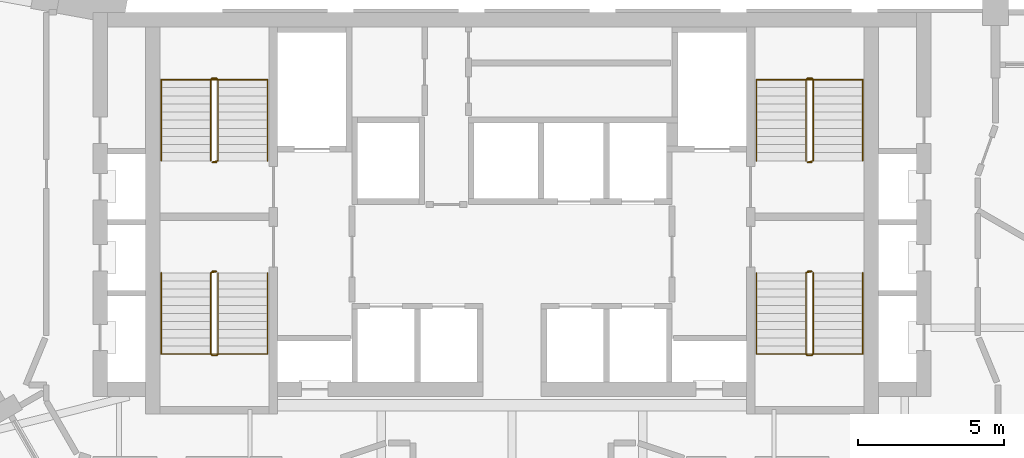
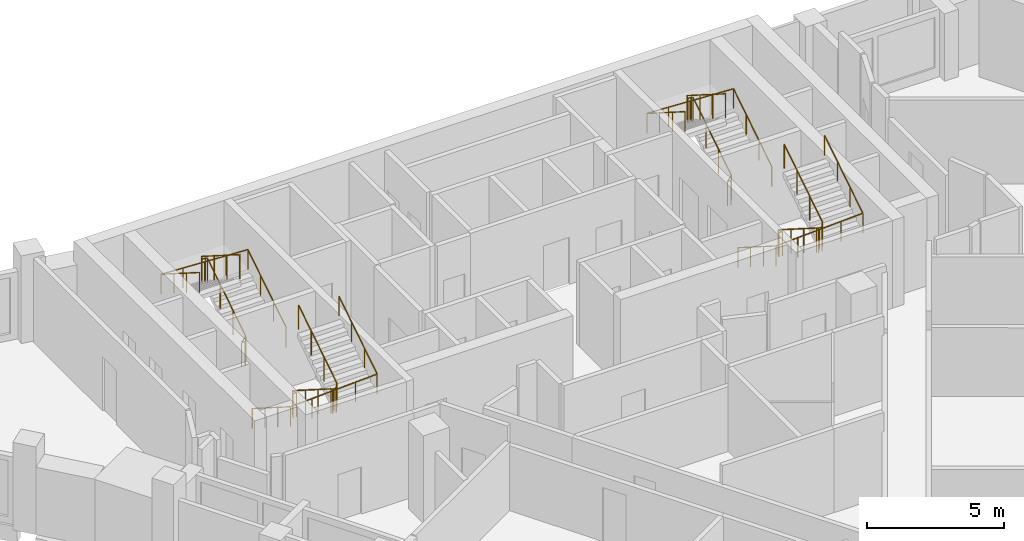
# One storey, part 9 of 9: 8 railings.
"""IFC4 building model written with IfcOpenShell, lengths in metres."""

from ifc_helpers import new_model, si_unit, direction, frame, origin, origin_2d, place, context, subcontext, project, spatial, circle, extrude, material, type_object, element, save


model = new_model("IFC4")

# Units and contexts
model_context = context("Model", 3, precision=1e-05, world=origin(), true_north=direction((0.0, 1.0)))
body_context = subcontext(model_context, "Body", "Model", "MODEL_VIEW")
ifc_project = project(units=[si_unit("LENGTHUNIT", "METRE"), si_unit("AREAUNIT", "SQUARE_METRE"), si_unit("VOLUMEUNIT", "CUBIC_METRE"), si_unit("PLANEANGLEUNIT", "RADIAN"), si_unit("MASSUNIT", "GRAM", prefix="KILO")], contexts=[model_context])

# Site, building, storey
site_placement = place(None, origin())
site = spatial("IfcSite", under=ifc_project, at=site_placement, CompositionType="ELEMENT")
building_placement = place(site_placement, origin())
building = spatial("IfcBuilding", under=site, at=building_placement, Name="Calabash Gate Tower", CompositionType="ELEMENT")
storey_placement = place(building_placement, frame((0.0, 0.0, 212.0)))
storey = spatial("IfcBuildingStorey", under=building, at=storey_placement, Name="L50", CompositionType="ELEMENT", Elevation=212.0)

# Railings
ifc_material_1 = material(Name="Black powder-coated steel balusters", Category="steel")
railing_type_1 = type_object("IfcRailingType", Name="Stair guard RL1100", PredefinedType="GUARDRAIL", material=ifc_material_1)
railing_1_placement = place(storey_placement, frame((-10.14990234375, 13.902587890625, 0.0)))
element("IfcRailing", 1, at=railing_1_placement, inside=storey, type_object=railing_type_1, Name="L50 ST1 stair guard 1", PredefinedType="GUARDRAIL", context=body_context, shape_type="SweptSolid", body=[
    extrude(circle(Radius=0.02392578125, at=origin_2d()), frame((0.0, 0.0, 1.076171875), z_axis=(-1.0, 0.0, 0.0), x_axis=(0.0, -1.0, 0.0)), (0.0, 0.0, 1.0), 0.150146484375),
    extrude(circle(Radius=0.02392578125, at=origin_2d()), frame((-0.150146484375, 0.0, 1.076171875), z_axis=(0.735524641326, 0.184105679453, 0.652003528208), x_axis=(-0.242814311512, 0.970072785993, 0.0)), (0.0, 0.0, 1.0), 0.271728515625),
    extrude(circle(Radius=0.02392578125, at=origin_2d()), frame((0.0498046875, 0.050048828125, 1.25341796875), z_axis=(0.0, 0.844041424197, 0.536277982245), x_axis=(-1.0, 0.0, 0.0)), (0.0, 0.0, 1.0), 3.3056640625),
    extrude(circle(Radius=0.02392578125, at=origin_2d()), frame((0.0498046875, 2.840087890625, 3.02587890625), z_axis=(-0.707106781187, 0.707106781187, 0.0), x_axis=(-0.707106781187, -0.707106781187, 0.0)), (0.0, 0.0, 1.0), 0.0703125),
    extrude(circle(Radius=0.02392578125, at=origin_2d()), frame((0.0, 2.889892578125, 3.02587890625), z_axis=(-1.0, 0.0, 0.0), x_axis=(0.0, -1.0, 0.0)), (0.0, 0.0, 1.0), 0.150146484375),
    extrude(circle(Radius=0.02392578125, at=origin_2d()), frame((-0.150146484375, 2.889892578125, 3.02587890625), z_axis=(-0.262321481514, -0.261041864531, 0.929001929653), x_axis=(0.705375805398, -0.708833529934, 0.0)), (0.0, 0.0, 1.0), 0.190673828125),
    extrude(circle(Radius=0.02392578125, at=origin_2d()), frame((-0.2001953125, 2.840087890625, 3.203125), z_axis=(0.0, -0.844041424197, 0.536277982245), x_axis=(1.0, 0.0, 0.0)), (0.0, 0.0, 1.0), 3.3056640625),
    extrude(circle(Radius=0.02099609375, at=origin_2d()), origin(), (0.0, 0.0, 1.0), 1.052001953125),
    extrude(circle(Radius=0.02099609375, at=origin_2d()), frame((-0.150146484375, 0.0, 0.0)), (0.0, 0.0, 1.0), 1.052001953125),
    extrude(circle(Radius=0.02099609375, at=origin_2d()), frame((0.0498046875, 0.050048828125, 0.17724609375)), (0.0, 0.0, 1.0), 1.052001953125),
    extrude(circle(Radius=0.02099609375, at=origin_2d()), frame((0.0498046875, 0.97998046875, 0.76806640625)), (0.0, 0.0, 1.0), 1.052001953125),
    extrude(circle(Radius=0.02099609375, at=origin_2d()), frame((0.0498046875, 1.91015625, 1.359130859375)), (0.0, 0.0, 1.0), 1.052001953125),
    extrude(circle(Radius=0.02099609375, at=origin_2d()), frame((0.0498046875, 2.840087890625, 1.949951171875)), (0.0, 0.0, 1.0), 1.052001953125),
    extrude(circle(Radius=0.02099609375, at=origin_2d()), frame((0.0, 2.889892578125, 1.949951171875)), (0.0, 0.0, 1.0), 1.052001953125),
    extrude(circle(Radius=0.02099609375, at=origin_2d()), frame((-0.150146484375, 2.889892578125, 1.949951171875)), (0.0, 0.0, 1.0), 1.052001953125),
    extrude(circle(Radius=0.02099609375, at=origin_2d()), frame((-0.2001953125, 2.840087890625, 2.127197265625)), (0.0, 0.0, 1.0), 1.052001953125),
    extrude(circle(Radius=0.02099609375, at=origin_2d()), frame((-0.2001953125, 1.91015625, 2.718017578125)), (0.0, 0.0, 1.0), 1.052001953125),
    extrude(circle(Radius=0.02099609375, at=origin_2d()), frame((-0.2001953125, 0.97998046875, 3.30908203125)), (0.0, 0.0, 1.0), 1.052001953125),
    extrude(circle(Radius=0.02099609375, at=origin_2d()), frame((-0.2001953125, 0.050048828125, 3.89990234375)), (0.0, 0.0, 1.0), 1.052001953125),
])
railing_2_placement = place(storey_placement, frame((-10.300048828125, 10.152587890625, 0.0)))
element("IfcRailing", 2, at=railing_2_placement, inside=storey, type_object=railing_type_1, Name="L50 ST2 stair guard 1", PredefinedType="GUARDRAIL", context=body_context, shape_type="SweptSolid", body=[
    extrude(circle(Radius=0.02392578125, at=origin_2d()), frame((0.0, 0.0, 1.076171875), z_axis=(1.0, 0.0, 0.0), x_axis=(0.0, 1.0, 0.0)), (0.0, 0.0, 1.0), 0.150146484375),
    extrude(circle(Radius=0.02392578125, at=origin_2d()), frame((0.150146484375, 0.0, 1.076171875), z_axis=(-0.735936453418, -0.183984113355, 0.651573006319), x_axis=(0.242535625036, -0.970142500145, 0.0)), (0.0, 0.0, 1.0), 0.27197265625),
    extrude(circle(Radius=0.02392578125, at=origin_2d()), frame((-0.050048828125, -0.050048828125, 1.25341796875), z_axis=(0.0, -0.844041424197, 0.536277982245), x_axis=(1.0, 0.0, 0.0)), (0.0, 0.0, 1.0), 3.3056640625),
    extrude(circle(Radius=0.02392578125, at=origin_2d()), frame((-0.050048828125, -2.840087890625, 3.02587890625), z_axis=(0.708833529934, -0.705375805398, 0.0), x_axis=(0.705375805398, 0.708833529934, 0.0)), (0.0, 0.0, 1.0), 0.070556640625),
    extrude(circle(Radius=0.02392578125, at=origin_2d()), frame((0.0, -2.889892578125, 3.02587890625), z_axis=(1.0, 0.0, 0.0), x_axis=(0.0, 1.0, 0.0)), (0.0, 0.0, 1.0), 0.150146484375),
    extrude(circle(Radius=0.02392578125, at=origin_2d()), frame((0.150146484375, -2.889892578125, 3.02587890625), z_axis=(0.261129318932, 0.261129318932, 0.929313164433), x_axis=(-0.707106781187, 0.707106781187, 0.0)), (0.0, 0.0, 1.0), 0.190673828125),
    extrude(circle(Radius=0.02392578125, at=origin_2d()), frame((0.199951171875, -2.840087890625, 3.203125), z_axis=(0.0, 0.844041424197, 0.536277982245), x_axis=(-1.0, 0.0, 0.0)), (0.0, 0.0, 1.0), 3.3056640625),
    extrude(circle(Radius=0.02099609375, at=origin_2d()), origin(), (0.0, 0.0, 1.0), 1.052001953125),
    extrude(circle(Radius=0.02099609375, at=origin_2d()), frame((0.150146484375, 0.0, 0.0)), (0.0, 0.0, 1.0), 1.052001953125),
    extrude(circle(Radius=0.02099609375, at=origin_2d()), frame((-0.050048828125, -0.050048828125, 0.17724609375)), (0.0, 0.0, 1.0), 1.052001953125),
    extrude(circle(Radius=0.02099609375, at=origin_2d()), frame((-0.050048828125, -0.97998046875, 0.76806640625)), (0.0, 0.0, 1.0), 1.052001953125),
    extrude(circle(Radius=0.02099609375, at=origin_2d()), frame((-0.050048828125, -1.91015625, 1.359130859375)), (0.0, 0.0, 1.0), 1.052001953125),
    extrude(circle(Radius=0.02099609375, at=origin_2d()), frame((-0.050048828125, -2.840087890625, 1.949951171875)), (0.0, 0.0, 1.0), 1.052001953125),
    extrude(circle(Radius=0.02099609375, at=origin_2d()), frame((0.0, -2.889892578125, 1.949951171875)), (0.0, 0.0, 1.0), 1.052001953125),
    extrude(circle(Radius=0.02099609375, at=origin_2d()), frame((0.150146484375, -2.889892578125, 1.949951171875)), (0.0, 0.0, 1.0), 1.052001953125),
    extrude(circle(Radius=0.02099609375, at=origin_2d()), frame((0.199951171875, -2.840087890625, 2.127197265625)), (0.0, 0.0, 1.0), 1.052001953125),
    extrude(circle(Radius=0.02099609375, at=origin_2d()), frame((0.199951171875, -1.91015625, 2.718017578125)), (0.0, 0.0, 1.0), 1.052001953125),
    extrude(circle(Radius=0.02099609375, at=origin_2d()), frame((0.199951171875, -0.97998046875, 3.30908203125)), (0.0, 0.0, 1.0), 1.052001953125),
    extrude(circle(Radius=0.02099609375, at=origin_2d()), frame((0.199951171875, -0.050048828125, 3.89990234375)), (0.0, 0.0, 1.0), 1.052001953125),
])
railing_3_placement = place(storey_placement, frame((10.300048828125, 13.902587890625, 0.0)))
element("IfcRailing", 3, at=railing_3_placement, inside=storey, type_object=railing_type_1, Name="L50 ST3 stair guard 1", PredefinedType="GUARDRAIL", context=body_context, shape_type="SweptSolid", body=[
    extrude(circle(Radius=0.02392578125, at=origin_2d()), frame((0.0, 0.0, 1.076171875), z_axis=(-1.0, 0.0, 0.0), x_axis=(0.0, -1.0, 0.0)), (0.0, 0.0, 1.0), 0.150146484375),
    extrude(circle(Radius=0.02392578125, at=origin_2d()), frame((-0.150146484375, 0.0, 1.076171875), z_axis=(0.735936453418, 0.183984113355, 0.651573006319), x_axis=(-0.242535625036, 0.970142500145, 0.0)), (0.0, 0.0, 1.0), 0.27197265625),
    extrude(circle(Radius=0.02392578125, at=origin_2d()), frame((0.050048828125, 0.050048828125, 1.25341796875), z_axis=(0.0, 0.844041424197, 0.536277982245), x_axis=(-1.0, 0.0, 0.0)), (0.0, 0.0, 1.0), 3.3056640625),
    extrude(circle(Radius=0.02392578125, at=origin_2d()), frame((0.050048828125, 2.840087890625, 3.02587890625), z_axis=(-0.708833529934, 0.705375805398, 0.0), x_axis=(-0.705375805398, -0.708833529934, 0.0)), (0.0, 0.0, 1.0), 0.070556640625),
    extrude(circle(Radius=0.02392578125, at=origin_2d()), frame((0.0, 2.889892578125, 3.02587890625), z_axis=(-1.0, 0.0, 0.0), x_axis=(0.0, -1.0, 0.0)), (0.0, 0.0, 1.0), 0.150146484375),
    extrude(circle(Radius=0.02392578125, at=origin_2d()), frame((-0.150146484375, 2.889892578125, 3.02587890625), z_axis=(-0.261129318932, -0.261129318932, 0.929313164433), x_axis=(0.707106781187, -0.707106781187, 0.0)), (0.0, 0.0, 1.0), 0.190673828125),
    extrude(circle(Radius=0.02392578125, at=origin_2d()), frame((-0.199951171875, 2.840087890625, 3.203125), z_axis=(0.0, -0.844041424197, 0.536277982245), x_axis=(1.0, 0.0, 0.0)), (0.0, 0.0, 1.0), 3.3056640625),
    extrude(circle(Radius=0.02099609375, at=origin_2d()), origin(), (0.0, 0.0, 1.0), 1.052001953125),
    extrude(circle(Radius=0.02099609375, at=origin_2d()), frame((-0.150146484375, 0.0, 0.0)), (0.0, 0.0, 1.0), 1.052001953125),
    extrude(circle(Radius=0.02099609375, at=origin_2d()), frame((0.050048828125, 0.050048828125, 0.17724609375)), (0.0, 0.0, 1.0), 1.052001953125),
    extrude(circle(Radius=0.02099609375, at=origin_2d()), frame((0.050048828125, 0.97998046875, 0.76806640625)), (0.0, 0.0, 1.0), 1.052001953125),
    extrude(circle(Radius=0.02099609375, at=origin_2d()), frame((0.050048828125, 1.91015625, 1.359130859375)), (0.0, 0.0, 1.0), 1.052001953125),
    extrude(circle(Radius=0.02099609375, at=origin_2d()), frame((0.050048828125, 2.840087890625, 1.949951171875)), (0.0, 0.0, 1.0), 1.052001953125),
    extrude(circle(Radius=0.02099609375, at=origin_2d()), frame((0.0, 2.889892578125, 1.949951171875)), (0.0, 0.0, 1.0), 1.052001953125),
    extrude(circle(Radius=0.02099609375, at=origin_2d()), frame((-0.150146484375, 2.889892578125, 1.949951171875)), (0.0, 0.0, 1.0), 1.052001953125),
    extrude(circle(Radius=0.02099609375, at=origin_2d()), frame((-0.199951171875, 2.840087890625, 2.127197265625)), (0.0, 0.0, 1.0), 1.052001953125),
    extrude(circle(Radius=0.02099609375, at=origin_2d()), frame((-0.199951171875, 1.91015625, 2.718017578125)), (0.0, 0.0, 1.0), 1.052001953125),
    extrude(circle(Radius=0.02099609375, at=origin_2d()), frame((-0.199951171875, 0.97998046875, 3.30908203125)), (0.0, 0.0, 1.0), 1.052001953125),
    extrude(circle(Radius=0.02099609375, at=origin_2d()), frame((-0.199951171875, 0.050048828125, 3.89990234375)), (0.0, 0.0, 1.0), 1.052001953125),
])
railing_4_placement = place(storey_placement, frame((10.14990234375, 10.152587890625, 0.0)))
element("IfcRailing", 4, at=railing_4_placement, inside=storey, type_object=railing_type_1, Name="L50 ST4 stair guard 1", PredefinedType="GUARDRAIL", context=body_context, shape_type="SweptSolid", body=[
    extrude(circle(Radius=0.02392578125, at=origin_2d()), frame((0.0, 0.0, 1.076171875), z_axis=(1.0, 0.0, 0.0), x_axis=(0.0, 1.0, 0.0)), (0.0, 0.0, 1.0), 0.150146484375),
    extrude(circle(Radius=0.02392578125, at=origin_2d()), frame((0.150146484375, 0.0, 1.076171875), z_axis=(-0.735524641326, -0.184105679453, 0.652003528208), x_axis=(0.242814311512, -0.970072785993, 0.0)), (0.0, 0.0, 1.0), 0.271728515625),
    extrude(circle(Radius=0.02392578125, at=origin_2d()), frame((-0.0498046875, -0.050048828125, 1.25341796875), z_axis=(0.0, -0.844041424197, 0.536277982245), x_axis=(1.0, 0.0, 0.0)), (0.0, 0.0, 1.0), 3.3056640625),
    extrude(circle(Radius=0.02392578125, at=origin_2d()), frame((-0.0498046875, -2.840087890625, 3.02587890625), z_axis=(0.707106781187, -0.707106781187, 0.0), x_axis=(0.707106781187, 0.707106781187, 0.0)), (0.0, 0.0, 1.0), 0.0703125),
    extrude(circle(Radius=0.02392578125, at=origin_2d()), frame((0.0, -2.889892578125, 3.02587890625), z_axis=(1.0, 0.0, 0.0), x_axis=(0.0, 1.0, 0.0)), (0.0, 0.0, 1.0), 0.150146484375),
    extrude(circle(Radius=0.02392578125, at=origin_2d()), frame((0.150146484375, -2.889892578125, 3.02587890625), z_axis=(0.262321481514, 0.261041864531, 0.929001929653), x_axis=(-0.705375805398, 0.708833529934, 0.0)), (0.0, 0.0, 1.0), 0.190673828125),
    extrude(circle(Radius=0.02392578125, at=origin_2d()), frame((0.2001953125, -2.840087890625, 3.203125), z_axis=(0.0, 0.844041424197, 0.536277982245), x_axis=(-1.0, 0.0, 0.0)), (0.0, 0.0, 1.0), 3.3056640625),
    extrude(circle(Radius=0.02099609375, at=origin_2d()), origin(), (0.0, 0.0, 1.0), 1.052001953125),
    extrude(circle(Radius=0.02099609375, at=origin_2d()), frame((0.150146484375, 0.0, 0.0)), (0.0, 0.0, 1.0), 1.052001953125),
    extrude(circle(Radius=0.02099609375, at=origin_2d()), frame((-0.0498046875, -0.050048828125, 0.17724609375)), (0.0, 0.0, 1.0), 1.052001953125),
    extrude(circle(Radius=0.02099609375, at=origin_2d()), frame((-0.0498046875, -0.97998046875, 0.76806640625)), (0.0, 0.0, 1.0), 1.052001953125),
    extrude(circle(Radius=0.02099609375, at=origin_2d()), frame((-0.0498046875, -1.91015625, 1.359130859375)), (0.0, 0.0, 1.0), 1.052001953125),
    extrude(circle(Radius=0.02099609375, at=origin_2d()), frame((-0.0498046875, -2.840087890625, 1.949951171875)), (0.0, 0.0, 1.0), 1.052001953125),
    extrude(circle(Radius=0.02099609375, at=origin_2d()), frame((0.0, -2.889892578125, 1.949951171875)), (0.0, 0.0, 1.0), 1.052001953125),
    extrude(circle(Radius=0.02099609375, at=origin_2d()), frame((0.150146484375, -2.889892578125, 1.949951171875)), (0.0, 0.0, 1.0), 1.052001953125),
    extrude(circle(Radius=0.02099609375, at=origin_2d()), frame((0.2001953125, -2.840087890625, 2.127197265625)), (0.0, 0.0, 1.0), 1.052001953125),
    extrude(circle(Radius=0.02099609375, at=origin_2d()), frame((0.2001953125, -1.91015625, 2.718017578125)), (0.0, 0.0, 1.0), 1.052001953125),
    extrude(circle(Radius=0.02099609375, at=origin_2d()), frame((0.2001953125, -0.97998046875, 3.30908203125)), (0.0, 0.0, 1.0), 1.052001953125),
    extrude(circle(Radius=0.02099609375, at=origin_2d()), frame((0.2001953125, -0.050048828125, 3.89990234375)), (0.0, 0.0, 1.0), 1.052001953125),
])
ifc_material_2 = material(Name="Black powder-coated steel tube 48 mm", Category="steel")
railing_type_2 = type_object("IfcRailingType", Name="Stair handrail RL900", PredefinedType="HANDRAIL", material=ifc_material_2)
railing_5_placement = place(storey_placement, frame((-8.39990234375, 13.95263671875, 0.17724609375)))
element("IfcRailing", 5, at=railing_5_placement, inside=storey, type_object=railing_type_2, Name="L50 ST1 stair handrail 1", PredefinedType="HANDRAIL", context=body_context, shape_type="SweptSolid", body=[
    extrude(circle(Radius=0.02392578125, at=origin_2d()), frame((0.0, 0.0, 0.8759765625), z_axis=(0.0, 0.844041424197, 0.536277982245), x_axis=(-1.0, 0.0, 0.0)), (0.0, 0.0, 1.0), 3.3056640625),
    extrude(circle(Radius=0.02392578125, at=origin_2d()), frame((0.0, 2.7900390625, 2.6484375), z_axis=(-0.998823110844, 0.0, 0.048501476722), x_axis=(0.0, -1.0, 0.0)), (0.0, 0.0, 1.0), 3.654541015625),
    extrude(circle(Radius=0.02392578125, at=origin_2d()), frame((-3.650146484375, 2.7900390625, 2.82568359375), z_axis=(0.0, -0.844041424197, 0.536277982245), x_axis=(1.0, 0.0, 0.0)), (0.0, 0.0, 1.0), 3.3056640625),
    extrude(circle(Radius=0.02099609375, at=origin_2d()), origin(), (0.0, 0.0, 1.0), 0.851806640625),
    extrude(circle(Radius=0.02099609375, at=origin_2d()), frame((0.0, 0.929931640625, 0.5908203125)), (0.0, 0.0, 1.0), 0.851806640625),
    extrude(circle(Radius=0.02099609375, at=origin_2d()), frame((0.0, 1.860107421875, 1.181884765625)), (0.0, 0.0, 1.0), 0.851806640625),
    extrude(circle(Radius=0.02099609375, at=origin_2d()), frame((0.0, 2.7900390625, 1.772705078125)), (0.0, 0.0, 1.0), 0.851806640625),
    extrude(circle(Radius=0.02099609375, at=origin_2d()), frame((-0.91259765625, 2.7900390625, 1.81689453125)), (0.0, 0.0, 1.0), 0.851806640625),
    extrude(circle(Radius=0.02099609375, at=origin_2d()), frame((-1.8251953125, 2.7900390625, 1.861328125)), (0.0, 0.0, 1.0), 0.851806640625),
    extrude(circle(Radius=0.02099609375, at=origin_2d()), frame((-2.737548828125, 2.7900390625, 1.90576171875)), (0.0, 0.0, 1.0), 0.851806640625),
    extrude(circle(Radius=0.02099609375, at=origin_2d()), frame((-3.650146484375, 2.7900390625, 1.949951171875)), (0.0, 0.0, 1.0), 0.851806640625),
    extrude(circle(Radius=0.02099609375, at=origin_2d()), frame((-3.650146484375, 1.860107421875, 2.540771484375)), (0.0, 0.0, 1.0), 0.851806640625),
    extrude(circle(Radius=0.02099609375, at=origin_2d()), frame((-3.650146484375, 0.929931640625, 3.1318359375)), (0.0, 0.0, 1.0), 0.851806640625),
    extrude(circle(Radius=0.02099609375, at=origin_2d()), frame((-3.650146484375, 0.0, 3.72265625)), (0.0, 0.0, 1.0), 0.851806640625),
])
railing_6_placement = place(storey_placement, frame((-12.050048828125, 10.1025390625, 0.17724609375)))
element("IfcRailing", 6, at=railing_6_placement, inside=storey, type_object=railing_type_2, Name="L50 ST2 stair handrail 1", PredefinedType="HANDRAIL", context=body_context, shape_type="SweptSolid", body=[
    extrude(circle(Radius=0.02392578125, at=origin_2d()), frame((0.0, 0.0, 0.8759765625), z_axis=(0.0, -0.844041424197, 0.536277982245), x_axis=(1.0, 0.0, 0.0)), (0.0, 0.0, 1.0), 3.3056640625),
    extrude(circle(Radius=0.02392578125, at=origin_2d()), frame((0.0, -2.7900390625, 2.6484375), z_axis=(0.998823110844, 0.0, 0.048501476722), x_axis=(0.0, 1.0, 0.0)), (0.0, 0.0, 1.0), 3.654541015625),
    extrude(circle(Radius=0.02392578125, at=origin_2d()), frame((3.650146484375, -2.7900390625, 2.82568359375), z_axis=(0.0, 0.844041424197, 0.536277982245), x_axis=(-1.0, 0.0, 0.0)), (0.0, 0.0, 1.0), 3.3056640625),
    extrude(circle(Radius=0.02099609375, at=origin_2d()), origin(), (0.0, 0.0, 1.0), 0.851806640625),
    extrude(circle(Radius=0.02099609375, at=origin_2d()), frame((0.0, -0.929931640625, 0.5908203125)), (0.0, 0.0, 1.0), 0.851806640625),
    extrude(circle(Radius=0.02099609375, at=origin_2d()), frame((0.0, -1.860107421875, 1.181884765625)), (0.0, 0.0, 1.0), 0.851806640625),
    extrude(circle(Radius=0.02099609375, at=origin_2d()), frame((0.0, -2.7900390625, 1.772705078125)), (0.0, 0.0, 1.0), 0.851806640625),
    extrude(circle(Radius=0.02099609375, at=origin_2d()), frame((0.91259765625, -2.7900390625, 1.81689453125)), (0.0, 0.0, 1.0), 0.851806640625),
    extrude(circle(Radius=0.02099609375, at=origin_2d()), frame((1.8251953125, -2.7900390625, 1.861328125)), (0.0, 0.0, 1.0), 0.851806640625),
    extrude(circle(Radius=0.02099609375, at=origin_2d()), frame((2.737548828125, -2.7900390625, 1.90576171875)), (0.0, 0.0, 1.0), 0.851806640625),
    extrude(circle(Radius=0.02099609375, at=origin_2d()), frame((3.650146484375, -2.7900390625, 1.949951171875)), (0.0, 0.0, 1.0), 0.851806640625),
    extrude(circle(Radius=0.02099609375, at=origin_2d()), frame((3.650146484375, -1.860107421875, 2.540771484375)), (0.0, 0.0, 1.0), 0.851806640625),
    extrude(circle(Radius=0.02099609375, at=origin_2d()), frame((3.650146484375, -0.929931640625, 3.1318359375)), (0.0, 0.0, 1.0), 0.851806640625),
    extrude(circle(Radius=0.02099609375, at=origin_2d()), frame((3.650146484375, 0.0, 3.72265625)), (0.0, 0.0, 1.0), 0.851806640625),
])
railing_7_placement = place(storey_placement, frame((12.050048828125, 13.95263671875, 0.17724609375)))
element("IfcRailing", 7, at=railing_7_placement, inside=storey, type_object=railing_type_2, Name="L50 ST3 stair handrail 1", PredefinedType="HANDRAIL", context=body_context, shape_type="SweptSolid", body=[
    extrude(circle(Radius=0.02392578125, at=origin_2d()), frame((0.0, 0.0, 0.8759765625), z_axis=(0.0, 0.844041424197, 0.536277982245), x_axis=(-1.0, 0.0, 0.0)), (0.0, 0.0, 1.0), 3.3056640625),
    extrude(circle(Radius=0.02392578125, at=origin_2d()), frame((0.0, 2.7900390625, 2.6484375), z_axis=(-0.998823110844, 0.0, 0.048501476722), x_axis=(0.0, -1.0, 0.0)), (0.0, 0.0, 1.0), 3.654541015625),
    extrude(circle(Radius=0.02392578125, at=origin_2d()), frame((-3.650146484375, 2.7900390625, 2.82568359375), z_axis=(0.0, -0.844041424197, 0.536277982245), x_axis=(1.0, 0.0, 0.0)), (0.0, 0.0, 1.0), 3.3056640625),
    extrude(circle(Radius=0.02099609375, at=origin_2d()), origin(), (0.0, 0.0, 1.0), 0.851806640625),
    extrude(circle(Radius=0.02099609375, at=origin_2d()), frame((0.0, 0.929931640625, 0.5908203125)), (0.0, 0.0, 1.0), 0.851806640625),
    extrude(circle(Radius=0.02099609375, at=origin_2d()), frame((0.0, 1.860107421875, 1.181884765625)), (0.0, 0.0, 1.0), 0.851806640625),
    extrude(circle(Radius=0.02099609375, at=origin_2d()), frame((0.0, 2.7900390625, 1.772705078125)), (0.0, 0.0, 1.0), 0.851806640625),
    extrude(circle(Radius=0.02099609375, at=origin_2d()), frame((-0.91259765625, 2.7900390625, 1.81689453125)), (0.0, 0.0, 1.0), 0.851806640625),
    extrude(circle(Radius=0.02099609375, at=origin_2d()), frame((-1.8251953125, 2.7900390625, 1.861328125)), (0.0, 0.0, 1.0), 0.851806640625),
    extrude(circle(Radius=0.02099609375, at=origin_2d()), frame((-2.737548828125, 2.7900390625, 1.90576171875)), (0.0, 0.0, 1.0), 0.851806640625),
    extrude(circle(Radius=0.02099609375, at=origin_2d()), frame((-3.650146484375, 2.7900390625, 1.949951171875)), (0.0, 0.0, 1.0), 0.851806640625),
    extrude(circle(Radius=0.02099609375, at=origin_2d()), frame((-3.650146484375, 1.860107421875, 2.540771484375)), (0.0, 0.0, 1.0), 0.851806640625),
    extrude(circle(Radius=0.02099609375, at=origin_2d()), frame((-3.650146484375, 0.929931640625, 3.1318359375)), (0.0, 0.0, 1.0), 0.851806640625),
    extrude(circle(Radius=0.02099609375, at=origin_2d()), frame((-3.650146484375, 0.0, 3.72265625)), (0.0, 0.0, 1.0), 0.851806640625),
])
railing_8_placement = place(storey_placement, frame((8.39990234375, 10.1025390625, 0.17724609375)))
element("IfcRailing", 8, at=railing_8_placement, inside=storey, type_object=railing_type_2, Name="L50 ST4 stair handrail 1", PredefinedType="HANDRAIL", context=body_context, shape_type="SweptSolid", body=[
    extrude(circle(Radius=0.02392578125, at=origin_2d()), frame((0.0, 0.0, 0.8759765625), z_axis=(0.0, -0.844041424197, 0.536277982245), x_axis=(1.0, 0.0, 0.0)), (0.0, 0.0, 1.0), 3.3056640625),
    extrude(circle(Radius=0.02392578125, at=origin_2d()), frame((0.0, -2.7900390625, 2.6484375), z_axis=(0.998823110844, 0.0, 0.048501476722), x_axis=(0.0, 1.0, 0.0)), (0.0, 0.0, 1.0), 3.654541015625),
    extrude(circle(Radius=0.02392578125, at=origin_2d()), frame((3.650146484375, -2.7900390625, 2.82568359375), z_axis=(0.0, 0.844041424197, 0.536277982245), x_axis=(-1.0, 0.0, 0.0)), (0.0, 0.0, 1.0), 3.3056640625),
    extrude(circle(Radius=0.02099609375, at=origin_2d()), origin(), (0.0, 0.0, 1.0), 0.851806640625),
    extrude(circle(Radius=0.02099609375, at=origin_2d()), frame((0.0, -0.929931640625, 0.5908203125)), (0.0, 0.0, 1.0), 0.851806640625),
    extrude(circle(Radius=0.02099609375, at=origin_2d()), frame((0.0, -1.860107421875, 1.181884765625)), (0.0, 0.0, 1.0), 0.851806640625),
    extrude(circle(Radius=0.02099609375, at=origin_2d()), frame((0.0, -2.7900390625, 1.772705078125)), (0.0, 0.0, 1.0), 0.851806640625),
    extrude(circle(Radius=0.02099609375, at=origin_2d()), frame((0.91259765625, -2.7900390625, 1.81689453125)), (0.0, 0.0, 1.0), 0.851806640625),
    extrude(circle(Radius=0.02099609375, at=origin_2d()), frame((1.8251953125, -2.7900390625, 1.861328125)), (0.0, 0.0, 1.0), 0.851806640625),
    extrude(circle(Radius=0.02099609375, at=origin_2d()), frame((2.737548828125, -2.7900390625, 1.90576171875)), (0.0, 0.0, 1.0), 0.851806640625),
    extrude(circle(Radius=0.02099609375, at=origin_2d()), frame((3.650146484375, -2.7900390625, 1.949951171875)), (0.0, 0.0, 1.0), 0.851806640625),
    extrude(circle(Radius=0.02099609375, at=origin_2d()), frame((3.650146484375, -1.860107421875, 2.540771484375)), (0.0, 0.0, 1.0), 0.851806640625),
    extrude(circle(Radius=0.02099609375, at=origin_2d()), frame((3.650146484375, -0.929931640625, 3.1318359375)), (0.0, 0.0, 1.0), 0.851806640625),
    extrude(circle(Radius=0.02099609375, at=origin_2d()), frame((3.650146484375, 0.0, 3.72265625)), (0.0, 0.0, 1.0), 0.851806640625),
])

save(model, "model.ifc")
